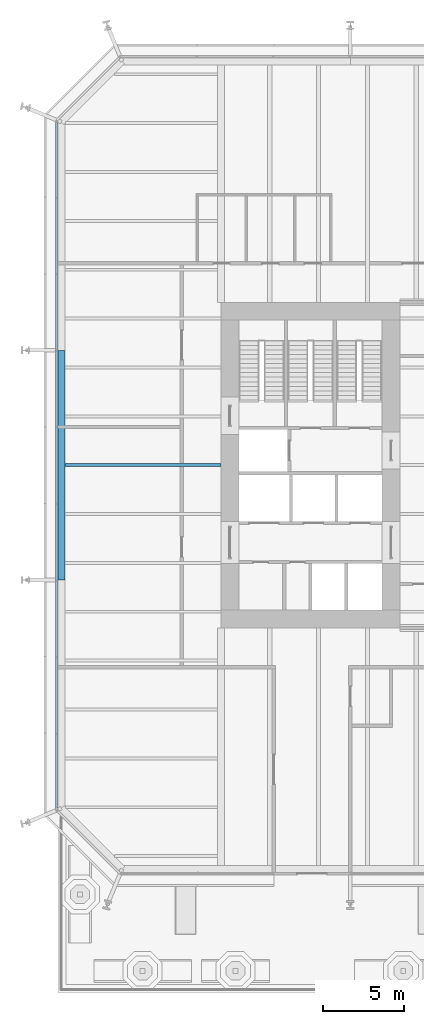
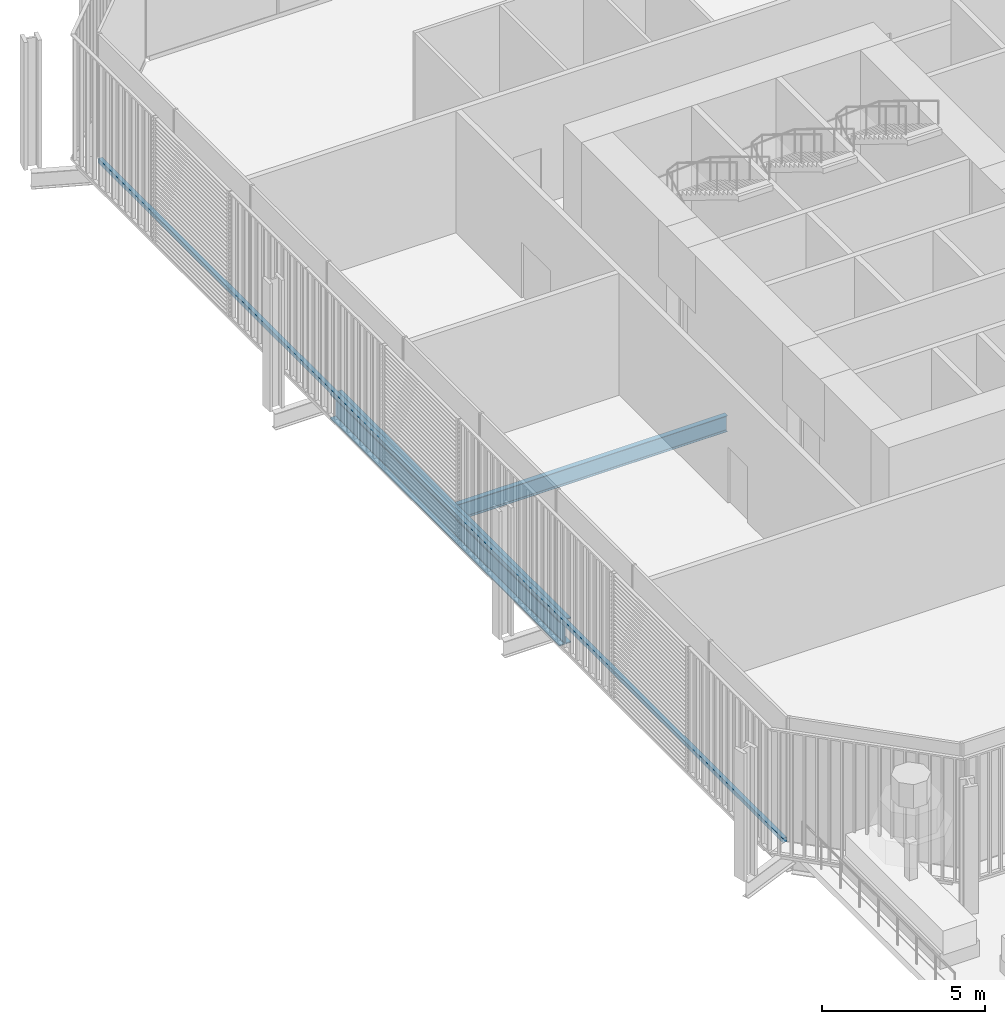
# One storey, part 6 of 21: 2 beams, 1 member, 1 element without a shape of its own.
"""IFC4 building model written with IfcOpenShell, lengths in metres."""

from ifc_helpers import new_model, si_unit, direction, frame, origin, origin_2d, place, context, subcontext, project, spatial, rectangle, i_section, extrude, material, layer, layer_set, material_profile, profile_set, type_object, element, aggregate, save


model = new_model("IFC4")

# Units and contexts
model_context = context("Model", 3, precision=1e-05, world=origin(), true_north=direction((0.0, 1.0)))
body_context = subcontext(model_context, "Body", "Model", "MODEL_VIEW")
ifc_project = project(units=[si_unit("LENGTHUNIT", "METRE"), si_unit("AREAUNIT", "SQUARE_METRE"), si_unit("VOLUMEUNIT", "CUBIC_METRE"), si_unit("PLANEANGLEUNIT", "RADIAN"), si_unit("MASSUNIT", "GRAM", prefix="KILO")], contexts=[model_context])

# Site, building, storey
site_placement = place(None, origin())
site = spatial("IfcSite", under=ifc_project, at=site_placement, CompositionType="ELEMENT")
building_placement = place(site_placement, origin())
building = spatial("IfcBuilding", under=site, at=building_placement, Name="Millrace Tower", CompositionType="ELEMENT")
storey_placement = place(building_placement, frame((0.0, 0.0, 16.10009765625)))
storey = spatial("IfcBuildingStorey", under=building, at=storey_placement, Name="L04", CompositionType="ELEMENT", Elevation=16.10009765625)

# Curtain wall, member
ifc_material_1 = material(Name="Aluminium and glass", Category="aluminium")
ifc_layer = layer(ifc_material_1, 0.14990234375)
ifc_layer_set = layer_set([ifc_layer], Name="Aluminium and glass")
curtain_wall_type = type_object("IfcCurtainWallType", Name="CW-2 data hall insulated curtain wall", PredefinedType="NOTDEFINED", material=ifc_layer_set)
curtain_wall_placement = place(storey_placement, origin())
curtain_wall = element("IfcCurtainWall", 1, at=curtain_wall_placement, inside=storey, type_object=curtain_wall_type, Name="Curtain wall A-F08 L04", PredefinedType="NOTDEFINED")
ifc_material_2 = material(Name="Aluminium", Category="aluminium")
ifc_material_profile_1 = material_profile(ifc_material_2, rectangle(XDim=0.14990234375, YDim=0.159912109375, at=origin_2d()))
ifc_profile_set_1 = profile_set([ifc_material_profile_1], Name="Aluminium")
member_type = type_object("IfcMemberType", Name="CW-2 data hall insulated curtain wall transom", PredefinedType="USERDEFINED", material=ifc_profile_set_1)
member_placement = place(storey_placement, frame((-25.074951171875, 21.050048828125, 0.079833984375), z_axis=(0.0, -1.0, 0.0), x_axis=(1.0, 0.0, 0.0)))
member = element("IfcMember", 2, at=member_placement, type_object=member_type, Name="CW2 transom A-F08.1", ObjectType="TRANSOM", PredefinedType="USERDEFINED", context=body_context, shape_type="SweptSolid", body=[
    extrude(rectangle(XDim=0.14990234375, YDim=0.159912109375, at=origin_2d()), origin(), (0.0, 0.0, 1.0), 42.10009765625),
])
aggregate(curtain_wall, [member])

# Beams
ifc_material_3 = material(Name="Steel ASTM A992 Grade 50", Category="steel")
ifc_material_profile_2 = material_profile(ifc_material_3, i_section(OverallWidth=0.1787109375, OverallDepth=0.60205078125, WebThickness=0.010986328125, FlangeThickness=0.014892578125, FilletRadius=0.0126953125, at=origin_2d()))
ifc_profile_set_2 = profile_set([ifc_material_profile_2], Name="Steel ASTM A992 Grade 50")
beam_type_1 = type_object("IfcBeamType", Name="Floor beam W24x62", PredefinedType="JOIST", material=ifc_profile_set_2)
beam_1_placement = place(storey_placement, frame((-24.578369140625, 0.0, -0.526123046875), z_axis=(1.0, 0.0, 0.0), x_axis=(0.0, 1.0, 0.0)))
element("IfcBeam", 3, at=beam_1_placement, inside=storey, type_object=beam_type_1, Name="BM-A-L04-S1-S021", PredefinedType="JOIST", context=body_context, shape_type="SweptSolid", body=[
    extrude(i_section(OverallWidth=0.1787109375, OverallDepth=0.60205078125, WebThickness=0.010986328125, FlangeThickness=0.014892578125, FilletRadius=0.0126953125, at=origin_2d()), origin(), (0.0, 0.0, 1.0), 9.578369140625),
])
ifc_material_4 = material(Name="Steel ASTM A992 Grade 50", Category="steel")
ifc_material_profile_3 = material_profile(ifc_material_4, i_section(OverallWidth=0.421630859375, OverallDepth=0.937255859375, WebThickness=0.021240234375, FlangeThickness=0.03662109375, FilletRadius=0.024169921875, at=origin_2d()))
ifc_profile_set_3 = profile_set([ifc_material_profile_3], Name="Steel ASTM A992 Grade 50")
beam_type_2 = type_object("IfcBeamType", Name="Ring beam medium span W36x262", PredefinedType="SPANDREL", material=ifc_profile_set_3)
beam_2_placement = place(storey_placement, frame((-24.7890625, -7.050048828125, -0.69384765625), z_axis=(0.0, 1.0, 0.0), x_axis=(-1.0, 0.0, 0.0)))
element("IfcBeam", 4, at=beam_2_placement, inside=storey, type_object=beam_type_2, Name="RNG-A-L04-S1-02", PredefinedType="SPANDREL", context=body_context, shape_type="SweptSolid", body=[
    extrude(i_section(OverallWidth=0.421630859375, OverallDepth=0.937255859375, WebThickness=0.021240234375, FlangeThickness=0.03662109375, FilletRadius=0.024169921875, at=origin_2d()), origin(), (0.0, 0.0, 1.0), 14.10009765625),
])

save(model, "model.ifc")
